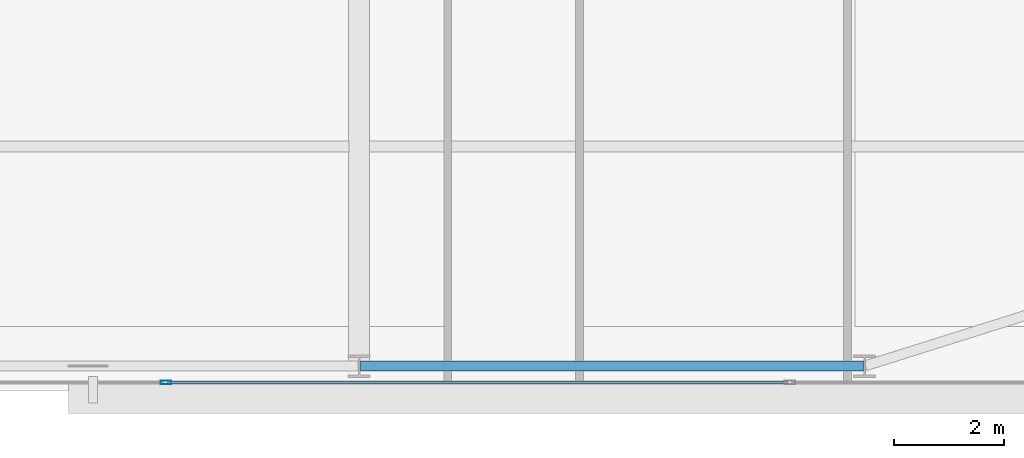
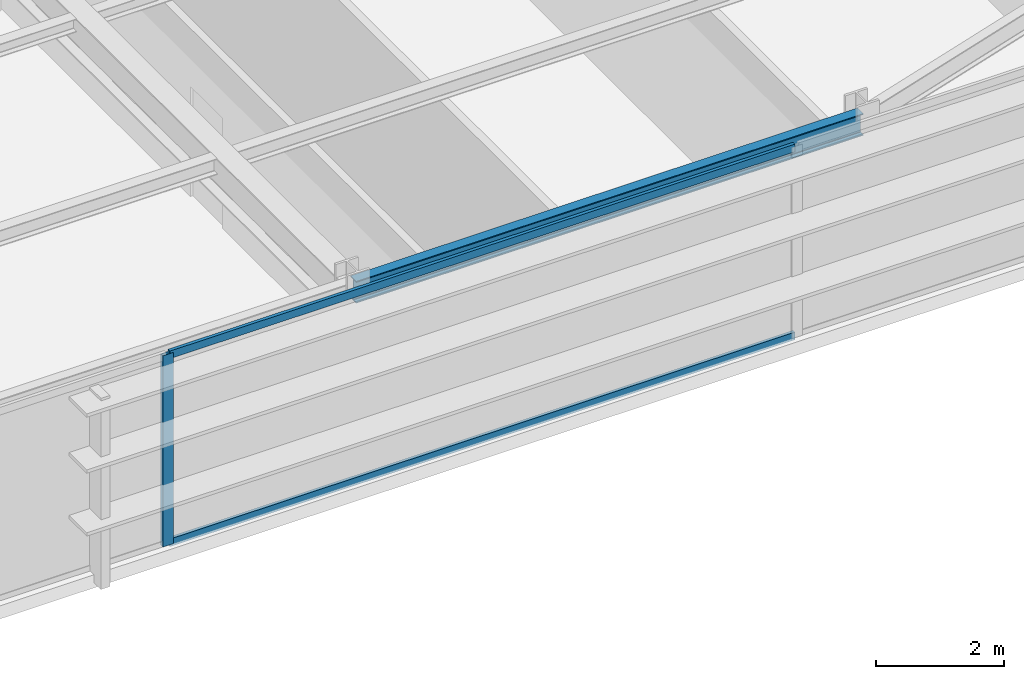
# One storey, part 12 of 32: 3 members, 1 beam, 1 element without a shape of its own.
"""IFC4 building model written with IfcOpenShell, lengths in metres."""

from ifc_helpers import new_model, si_unit, direction, frame, origin, origin_2d, place, context, subcontext, project, spatial, hollow_rectangle, i_section, extrude, source, transform, mapped, material, layer, layer_set, material_profile, profile_set, type_object, type_shapes, element, aggregate, save


model = new_model("IFC4")

# Units and contexts
model_context = context("Model", 3, precision=1e-05, world=origin(), true_north=direction((0.0, 1.0)))
body_context = subcontext(model_context, "Body", "Model", "MODEL_VIEW")
ifc_project = project(units=[si_unit("LENGTHUNIT", "METRE"), si_unit("AREAUNIT", "SQUARE_METRE"), si_unit("VOLUMEUNIT", "CUBIC_METRE"), si_unit("PLANEANGLEUNIT", "RADIAN"), si_unit("MASSUNIT", "GRAM", prefix="KILO")], contexts=[model_context])

# Site, building, storey
site_placement = place(None, origin())
site = spatial("IfcSite", under=ifc_project, at=site_placement, CompositionType="ELEMENT")
building_placement = place(site_placement, origin())
building = spatial("IfcBuilding", under=site, at=building_placement, Name="Varnel Quay Broadcast Tower", CompositionType="ELEMENT")
storey_placement = place(building_placement, frame((0.0, 0.0, 70.5)))
storey = spatial("IfcBuildingStorey", under=building, at=storey_placement, Name="L16", CompositionType="ELEMENT", Elevation=70.5)

# Beam
ifc_material_1 = material(Name="Structural Steel CSA G40.21 350W", Category="steel")
ifc_material_profile_1 = material_profile(ifc_material_1, i_section(OverallWidth=0.180908203125, OverallDepth=0.4169921875, WebThickness=0.010986328125, FlangeThickness=0.018310546875, FilletRadius=0.011962890625, at=origin_2d()), Name="W410X85")
ifc_profile_set_1 = profile_set([ifc_material_profile_1], Name="Structural Steel CSA G40.21 350W")
beam_type = type_object("IfcBeamType", Name="Beam_W410X85", PredefinedType="SPANDREL", material=ifc_profile_set_1)
shared_shape_1 = source(origin(), body_context, "Body", "SweptSolid", [
    extrude(i_section(OverallWidth=0.180908203125, OverallDepth=0.4169921875, WebThickness=0.010986328125, FlangeThickness=0.018310546875, FilletRadius=0.011962890625, at=origin_2d()), origin(), (0.0, 0.0, 1.0), 9.159912109375),
])
type_shapes(beam_type, [shared_shape_1])
beam_placement = place(storey_placement, frame((43.219970703125, 1.64990234375, 3.44140625), z_axis=(1.0, 0.0, 0.0), x_axis=(0.0, 1.0, 0.0)))
element("IfcBeam", 1, at=beam_placement, inside=storey, type_object=beam_type, Name="L16 South Spandrel TC-S4-TC-S5", PredefinedType="SPANDREL", context=body_context, shape_type="MappedRepresentation", body=[
    mapped(shared_shape_1, transform((0.0, 0.0, 0.0), x_axis=(1.0, 0.0, 0.0), y_axis=(0.0, 1.0, 0.0), z_axis=(0.0, 0.0, 1.0), scale=1.0)),
])

# Curtain wall, members
ifc_material_2 = material(Name="Anodised Bronze Aluminium 6063-T6", Category="aluminium")
ifc_layer = layer(ifc_material_2, 0.18994140625, Name="Anodised Bronze Aluminium 6063-T6")
ifc_layer_set = layer_set([ifc_layer], Name="Anodised Bronze Aluminium 6063-T6")
curtain_wall_type = type_object("IfcCurtainWallType", Name="CW_LowerTower", PredefinedType="NOTDEFINED", material=ifc_layer_set)
curtain_wall_placement = place(storey_placement, origin())
curtain_wall = element("IfcCurtainWall", 2, at=curtain_wall_placement, inside=storey, type_object=curtain_wall_type, Name="L16 South Unitised Curtain Wall 1", PredefinedType="NOTDEFINED")
ifc_material_profile_2 = material_profile(ifc_material_2, hollow_rectangle(XDim=0.070068359375, YDim=0.18994140625, WallThickness=0.00390625, at=origin_2d()), Name="ALU70X190X4")
ifc_profile_set_2 = profile_set([ifc_material_profile_2], Name="Anodised Bronze Aluminium 6063-T6")
member_type_1 = type_object("IfcMemberType", Name="Mull_CWS-02", PredefinedType="MULLION", material=ifc_profile_set_2)
shared_shape_2 = source(origin(), body_context, "Body", "SweptSolid", [
    extrude(hollow_rectangle(XDim=0.070068359375, YDim=0.18994140625, WallThickness=0.00390625, at=origin_2d()), origin(), (0.0, 0.0, 1.0), 3.64990234375),
])
type_shapes(member_type_1, [shared_shape_2])
member_1_placement = place(storey_placement, frame((39.679931640625, 1.35009765625, 0.0), z_axis=(0.0, 0.0, 1.0), x_axis=(0.0, 1.0, 0.0)))
member_1 = element("IfcMember", 3, at=member_1_placement, type_object=member_type_1, Name="CWS-02 mullion 4", PredefinedType="MULLION", context=body_context, shape_type="MappedRepresentation", body=[
    mapped(shared_shape_2, transform((0.0, 0.0, 0.0), x_axis=(1.0, 0.0, 0.0), y_axis=(0.0, 1.0, 0.0), z_axis=(0.0, 0.0, 1.0), scale=1.0)),
])
ifc_material_profile_3 = material_profile(ifc_material_2, hollow_rectangle(XDim=0.06005859375, YDim=0.14501953125, WallThickness=0.00341796875, at=origin_2d()), Name="ALU60X145X3.5")
ifc_profile_set_3 = profile_set([ifc_material_profile_3], Name="Anodised Bronze Aluminium 6063-T6")
member_type_2 = type_object("IfcMemberType", Name="Tran_CWS-02", PredefinedType="USERDEFINED", material=ifc_profile_set_3)
shared_shape_3 = source(origin(), body_context, "Body", "SweptSolid", [
    extrude(hollow_rectangle(XDim=0.06005859375, YDim=0.14501953125, WallThickness=0.00341796875, at=origin_2d()), origin(), (0.0, 0.0, 1.0), 11.289794921875),
])
type_shapes(member_type_2, [shared_shape_3])
member_2_placement = place(storey_placement, frame((39.715087890625, 1.35009765625, 0.030029296875), z_axis=(1.0, 0.0, 0.0), x_axis=(0.0, 1.0, 0.0)))
member_2 = element("IfcMember", 4, at=member_2_placement, type_object=member_type_2, Name="CWS-02 transom 4.1", ObjectType="TRANSOM", PredefinedType="USERDEFINED", context=body_context, shape_type="MappedRepresentation", body=[
    mapped(shared_shape_3, transform((0.0, 0.0, 0.0), x_axis=(1.0, 0.0, 0.0), y_axis=(0.0, 1.0, 0.0), z_axis=(0.0, 0.0, 1.0), scale=1.0)),
])
member_3_placement = place(storey_placement, frame((39.715087890625, 1.35009765625, 3.6201171875), z_axis=(1.0, 0.0, 0.0), x_axis=(0.0, 1.0, 0.0)))
member_3 = element("IfcMember", 5, at=member_3_placement, type_object=member_type_2, Name="CWS-02 transom 4.2", ObjectType="TRANSOM", PredefinedType="USERDEFINED", context=body_context, shape_type="MappedRepresentation", body=[
    mapped(shared_shape_3, transform((0.0, 0.0, 0.0), x_axis=(1.0, 0.0, 0.0), y_axis=(0.0, 1.0, 0.0), z_axis=(0.0, 0.0, 1.0), scale=1.0)),
])
aggregate(curtain_wall, [member_1, member_2, member_3])

save(model, "model.ifc")
